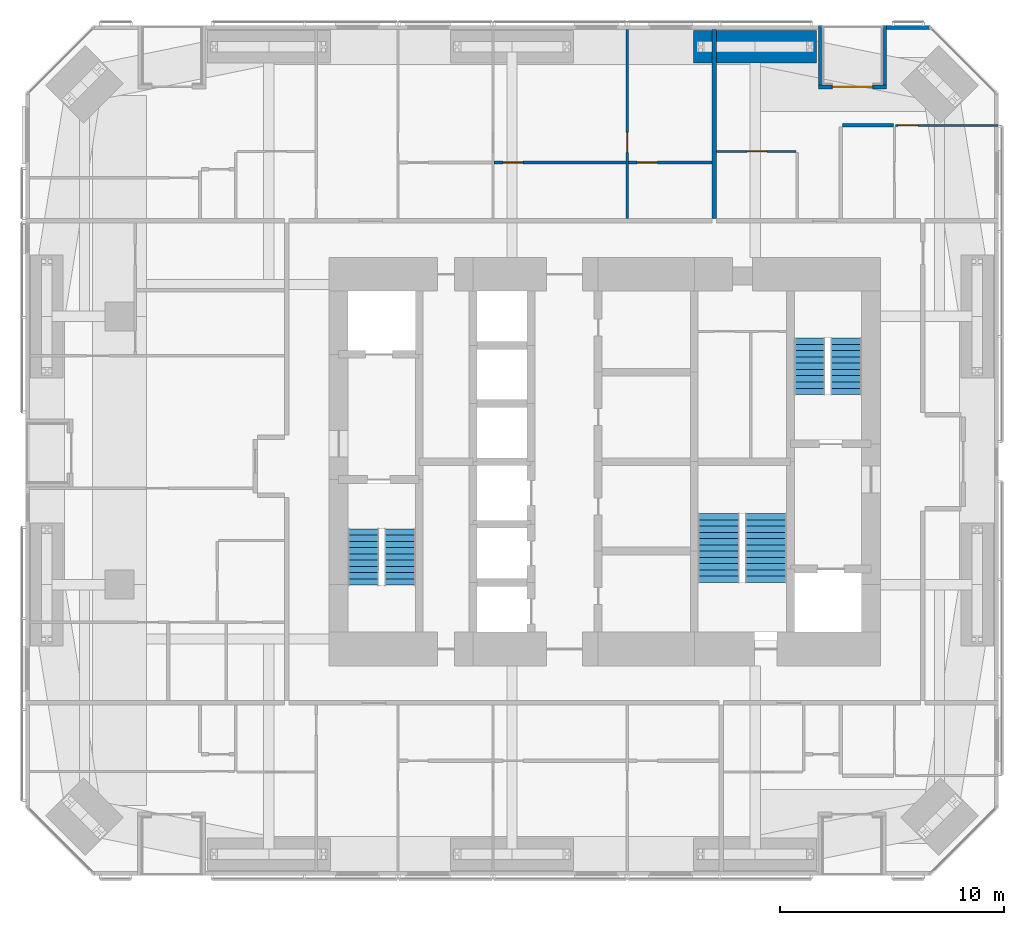
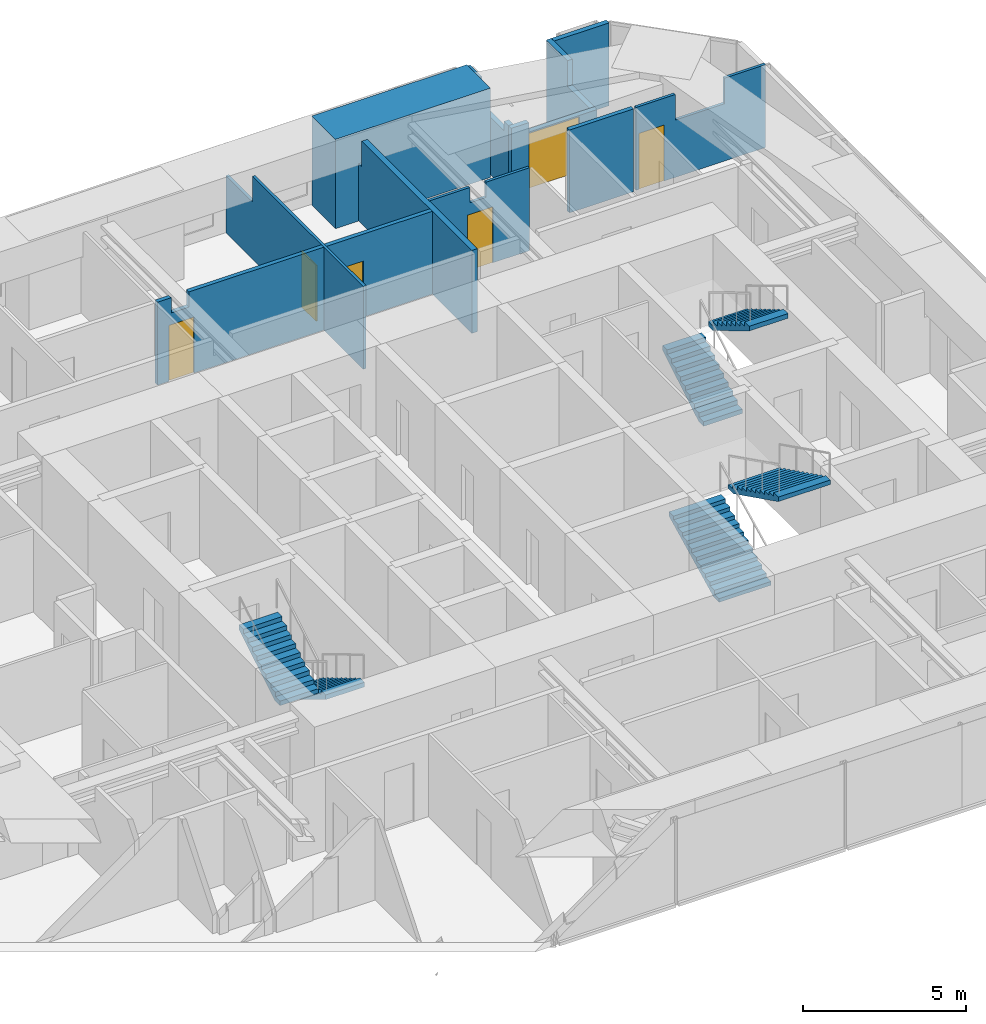
# One storey, part 22 of 23: 13 walls, 6 doors, 6 stair flights, 6 openings, 3 elements without a shape of their own.
"""IFC4 building model written with IfcOpenShell, lengths in metres."""

import ifcopenshell
import ifcopenshell.guid

model = None  # the IFC model being written
_history = None  # IfcOwnerHistory: only IFC2X3 demands one
_inside = {}  # id of a spatial element -> (the spatial element, [elements in it])
_under = {}  # id of a project, library or spatial element -> (it, [spatial elements below it])
_declared = {}  # id of a project -> (the project, [libraries it declares])
_typed = {}  # id of a type object -> (the type object, [elements of that type])
_made_of = {}  # id of a material, layer set ... -> (it, [elements and type objects made of it])


def new_model(schema):
    """Start an empty IFC model of exactly this schema.

    Asked for "IFC4X3", IfcOpenShell would pick the latest addendum, in which some entities
    have other attributes; the version numbers below select the first issue.
    IFC2X3 requires an IfcOwnerHistory on every rooted entity: one is made here for all.
    """
    global model, _history
    if schema == "IFC4X3":
        model = ifcopenshell.file(schema_version=(4, 3, 0, 0))
    else:
        model = ifcopenshell.file(schema=schema)
    _inside.clear()
    _under.clear()
    _declared.clear()
    _typed.clear()
    _made_of.clear()
    _history = None
    if model.schema == "IFC2X3":
        org = make("IfcOrganization", Name="unknown")
        user = make(
            "IfcPersonAndOrganization",
            ThePerson=make("IfcPerson", FamilyName="unknown"),
            TheOrganization=org,
        )
        app = make(
            "IfcApplication",
            ApplicationDeveloper=org,
            Version="unknown",
            ApplicationFullName="unknown",
            ApplicationIdentifier="unknown",
        )
        _history = make(
            "IfcOwnerHistory",
            OwningUser=user,
            OwningApplication=app,
            ChangeAction="ADDED",
            CreationDate=0,
        )
    return model


def make(cls, **values):
    """One entity of the class cls with the attributes given. An attribute that is None is left unset."""
    return model.create_entity(
        cls, **{name: value for name, value in values.items() if value is not None}
    )


def rooted(cls, **values):
    """An entity with a GlobalId (a new one), such as an element, a storey or a relation."""
    return make(cls, GlobalId=ifcopenshell.guid.new(), OwnerHistory=_history, **values)


def si_unit(unit_type, name, prefix=None):
    """IfcSIUnit, for example si_unit("LENGTHUNIT", "METRE", prefix="MILLI")."""
    return make("IfcSIUnit", UnitType=unit_type, Prefix=prefix, Name=name)


def assignment(units):
    """IfcUnitAssignment: the units of a project."""
    return None if units is None else make("IfcUnitAssignment", Units=units)


def point(xyz):
    """IfcCartesianPoint."""
    return None if xyz is None else make("IfcCartesianPoint", Coordinates=xyz)


def direction(xyz):
    """IfcDirection."""
    return None if xyz is None else make("IfcDirection", DirectionRatios=xyz)


def frame(location, z_axis=None, x_axis=None):
    """IfcAxis2Placement3D, a coordinate frame: its origin and axes. An axis left out is left unset."""
    return make(
        "IfcAxis2Placement3D",
        Location=point(location),
        Axis=direction(z_axis),
        RefDirection=direction(x_axis),
    )


def frame_2d(location, x_axis=None):
    """IfcAxis2Placement2D, a coordinate frame in the plane: its origin and x axis."""
    return make(
        "IfcAxis2Placement2D", Location=point(location), RefDirection=direction(x_axis)
    )


def origin():
    """The frame at (0, 0, 0) with its axes left unset."""
    return frame((0.0, 0.0, 0.0))


def place(relative_to, where):
    """IfcLocalPlacement: puts the frame where relative to a parent placement (None: the world)."""
    return make(
        "IfcLocalPlacement", PlacementRelTo=relative_to, RelativePlacement=where
    )


def context(
    kind, dimensions, precision=None, world=None, true_north=None, identifier=None
):
    """IfcGeometricRepresentationContext, for example the 3D "Model" context."""
    return make(
        "IfcGeometricRepresentationContext",
        ContextIdentifier=identifier,
        ContextType=kind,
        CoordinateSpaceDimension=dimensions,
        Precision=precision,
        WorldCoordinateSystem=world,
        TrueNorth=true_north,
    )


def subcontext(parent, identifier, kind, view, scale=None):
    """IfcGeometricRepresentationSubContext, for example "Body" below "Model"."""
    return make(
        "IfcGeometricRepresentationSubContext",
        ContextIdentifier=identifier,
        ContextType=kind,
        ParentContext=parent,
        TargetScale=scale,
        TargetView=view,
    )


def project(units=None, contexts=None):
    """IfcProject with its units and contexts."""
    return rooted(
        "IfcProject",
        Name="project",
        RepresentationContexts=contexts,
        UnitsInContext=assignment(units),
    )


def spatial(cls, under=None, at=None, **own):
    """A site, building, storey or space (cls), placed at a placement, below another one or the project."""
    s = rooted(cls, ObjectPlacement=at, **own)
    if under is not None:
        _under.setdefault(under.id(), (under, []))[1].append(s)
    return s


def polyline(points):
    """IfcPolyline through the points."""
    return make("IfcPolyline", Points=[point(p) for p in points])


def profile(cls, at=None, kind="AREA", **sizes):
    """A parametric profile (cls). Its sizes go by their IFC names, for example OverallWidth=200.0."""
    return make(cls, ProfileType=kind, Position=at, **sizes)


def rectangle(**sizes):
    """IfcRectangleProfileDef."""
    return profile("IfcRectangleProfileDef", **sizes)


def outline(outer, holes=None, kind="AREA"):
    """IfcArbitraryClosedProfileDef: a profile drawn as a closed curve; with holes, ...WithVoids."""
    if holes is None:
        return make("IfcArbitraryClosedProfileDef", ProfileType=kind, OuterCurve=outer)
    return make(
        "IfcArbitraryProfileDefWithVoids",
        ProfileType=kind,
        OuterCurve=outer,
        InnerCurves=holes,
    )


def extrude(swept, where, along, depth):
    """IfcExtrudedAreaSolid: the profile swept, set in the frame where, extruded along a direction by depth."""
    return make(
        "IfcExtrudedAreaSolid",
        SweptArea=swept,
        Position=where,
        ExtrudedDirection=direction(along),
        Depth=depth,
    )


def shape(context_of_items, identifier, shape_type, items):
    """IfcShapeRepresentation: the items that make up one representation, for example the "Body"."""
    return make(
        "IfcShapeRepresentation",
        ContextOfItems=context_of_items,
        RepresentationIdentifier=identifier,
        RepresentationType=shape_type,
        Items=items,
    )


def material(Name=None, Category=None):
    """IfcMaterial."""
    return make("IfcMaterial", Name=Name, Category=Category)


def layer(
    of_material, thickness, ventilated=None, Name=None, Category=None, Priority=None
):
    """IfcMaterialLayer: one layer of a wall or slab, of a material (None: an air gap)."""
    return make(
        "IfcMaterialLayer",
        Material=of_material,
        LayerThickness=thickness,
        IsVentilated=ventilated,
        Name=Name,
        Category=Category,
        Priority=Priority,
    )


def layer_set(layers, Name=None):
    """IfcMaterialLayerSet."""
    return make("IfcMaterialLayerSet", MaterialLayers=layers, LayerSetName=Name)


def constituent(of_material, Name=None, Category=None, fraction=None):
    """IfcMaterialConstituent: one of the materials an element consists of."""
    return make(
        "IfcMaterialConstituent",
        Name=Name,
        Material=of_material,
        Fraction=fraction,
        Category=Category,
    )


def constituent_set(constituents=None, Name=None):
    """IfcMaterialConstituentSet."""
    return make(
        "IfcMaterialConstituentSet", Name=Name, MaterialConstituents=constituents
    )


def made_of(thing, what):
    """Note that an element or type object is made of a material, layer set ...; save() writes the relation."""
    if what is not None:
        _made_of.setdefault(what.id(), (what, []))[1].append(thing)
    return thing


def type_object(cls, material=None, **own):
    """A type object (cls), such as IfcWallType, which elements share."""
    return made_of(rooted(cls, **own), material)


def element(
    cls,
    number,
    at=None,
    inside=None,
    cuts=None,
    type_object=None,
    material=None,
    context=None,
    identifier="Body",
    shape_type=None,
    held_by="IfcProductDefinitionShape",
    body=None,
    shapes=None,
    **own,
):
    """One element of the class cls, such as IfcWall. Its Tag is "e" and its number.

    at: its placement. inside: the storey or other place that contains it. cuts: it is an
    opening in that element (IfcRelVoidsElement). A single representation is given by context,
    identifier, shape_type and body (its items); several are given by shapes. held_by: the class
    of the entity that holds the representations. save() writes the other relations.
    """
    e = rooted(cls, Tag="e%d" % number, ObjectPlacement=at, **own)
    if body is not None:
        shapes = [shape(context, identifier, shape_type, body)]
    if shapes is not None:
        e.Representation = make(held_by, Representations=shapes)
    if inside is not None:
        _inside.setdefault(inside.id(), (inside, []))[1].append(e)
    if cuts is not None:
        rooted(
            "IfcRelVoidsElement", RelatingBuildingElement=cuts, RelatedOpeningElement=e
        )
    if type_object is not None:
        _typed.setdefault(type_object.id(), (type_object, []))[1].append(e)
    return made_of(e, material)


def fill(opening, filler):
    """IfcRelFillsElement: the door or window that sits in an opening."""
    return rooted(
        "IfcRelFillsElement",
        RelatingOpeningElement=opening,
        RelatedBuildingElement=filler,
    )


def aggregate(whole, parts):
    """IfcRelAggregates: a whole, such as a stair, and the parts it consists of."""
    return rooted("IfcRelAggregates", RelatingObject=whole, RelatedObjects=parts)


def save(model, path):
    """Write the relations noted so far, then the file.

    IfcRelAggregates (storeys below a building ...), IfcRelContainedInSpatialStructure (elements
    in a storey), IfcRelDefinesByType, IfcRelAssociatesMaterial and IfcRelDeclares: one each for
    every whole, place, type object, material and project.
    """
    for whole, parts in _under.values():
        aggregate(whole, parts)
    for where, things in _inside.values():
        rooted(
            "IfcRelContainedInSpatialStructure",
            RelatedElements=things,
            RelatingStructure=where,
        )
    for kind, things in _typed.values():
        rooted("IfcRelDefinesByType", RelatedObjects=things, RelatingType=kind)
    for what, things in _made_of.values():
        rooted("IfcRelAssociatesMaterial", RelatedObjects=things, RelatingMaterial=what)
    for by, libraries in _declared.values():
        rooted("IfcRelDeclares", RelatingContext=by, RelatedDefinitions=libraries)
    model.write(path)


model = new_model("IFC4")

# Units and contexts
model_context = context("Model", 3, precision=1e-05, world=origin(), true_north=direction((0.0, 1.0)))
body_context = subcontext(model_context, "Body", "Model", "MODEL_VIEW")
ifc_project = project(units=[si_unit("LENGTHUNIT", "METRE"), si_unit("AREAUNIT", "SQUARE_METRE"), si_unit("VOLUMEUNIT", "CUBIC_METRE"), si_unit("PLANEANGLEUNIT", "RADIAN"), si_unit("MASSUNIT", "GRAM", prefix="KILO")], contexts=[model_context])

# Site, building, storey
site_placement = place(None, origin())
site = spatial("IfcSite", under=ifc_project, at=site_placement, CompositionType="ELEMENT")
building_placement = place(site_placement, origin())
building = spatial("IfcBuilding", under=site, at=building_placement, Name="Jalousie Tower", CompositionType="ELEMENT")
storey_placement = place(building_placement, frame((0.0, 0.0, 118.25)))
storey = spatial("IfcBuildingStorey", under=building, at=storey_placement, Name="L32", CompositionType="ELEMENT", Elevation=118.25)

# Wall, opening, door
ifc_material_1 = material(Name="Concrete block ASTM C90", Category="concrete")
ifc_constituent_1 = constituent(ifc_material_1, Name="Body")
ifc_material_2 = material(Name="Render")
ifc_constituent_2 = constituent(ifc_material_2, Name="Finish")
ifc_constituent_set_1 = constituent_set(constituents=[ifc_constituent_1, ifc_constituent_2])
wall_type_1 = type_object("IfcWallType", Name="BATHROOM WALL 150", PredefinedType="PLUMBINGWALL", material=ifc_constituent_set_1)
wall_1_placement = place(storey_placement, frame((26.949951171875, 31.875, 0.0), z_axis=(0.0, 0.0, 1.0), x_axis=(1.0, 0.0, 0.0)))
wall_1 = element("IfcWall", 1, at=wall_1_placement, inside=storey, type_object=wall_type_1, Name="Bathroom Wall 150 L32", PredefinedType="PLUMBINGWALL", context=body_context, shape_type="SweptSolid", body=[
    extrude(outline(polyline([(0.0, 0.0), (5.900146484375, 0.0), (5.89990234375, 3.110107421875), (1.1123046875, 3.110107421875), (1.1123046875, 2.541015625), (0.487548828125, 2.541015625), (0.487548828125, 3.110107421875), (0.0, 3.110107421875), (0.0, 0.0)])), frame((0.0, 0.074951171875, 0.0), z_axis=(0.0, -1.0, 0.0), x_axis=(1.0, 0.0, 0.0)), (0.0, 0.0, 1.0), 0.14990234375),
])
opening_1_placement = place(wall_1_placement, frame((0.39990234375, 0.0, 0.0)))
opening_1 = element("IfcOpeningElement", 2, at=opening_1_placement, cuts=wall_1, Name="Opening D3", PredefinedType="OPENING", context=body_context, shape_type="SweptSolid", body=[
    extrude(rectangle(XDim=0.89990234375, YDim=2.10009765625, at=frame_2d((0.449951171875, 1.050048828125))), frame((0.0, 0.0849609375, 0.0), z_axis=(0.0, -1.0, 0.0), x_axis=(1.0, 0.0, 0.0)), (0.0, 0.0, 1.0), 0.169921875),
])
ifc_material_3 = material(Name="Timber door", Category="wood")
door_type_1 = type_object("IfcDoorType", Name="BATHROOM DOOR 900", OperationType="SINGLE_SWING_LEFT", PredefinedType="DOOR", material=ifc_material_3)
door_1_placement = place(opening_1_placement, frame((0.89990234375, 0.0, 0.0), z_axis=(0.0, 0.0, 1.0), x_axis=(-1.0, 0.0, 0.0)))
door_1 = element("IfcDoor", 3, at=door_1_placement, inside=storey, type_object=door_type_1, Name="Apartment 3203 bedroom 2 bathroom door", OperationType="SINGLE_SWING_RIGHT", OverallHeight=2.10009765625, OverallWidth=0.89990234375, PredefinedType="DOOR", context=body_context, shape_type="SweptSolid", body=[
    extrude(rectangle(XDim=0.89990234375, YDim=2.10009765625, at=frame_2d((0.449951171875, 1.050048828125))), frame((0.0, 0.02490234375, 0.0), z_axis=(0.0, -1.0, 0.0), x_axis=(1.0, 0.0, 0.0)), (0.0, 0.0, 1.0), 0.050048828125),
])
fill(opening_1, door_1)

wall_2_placement = place(storey_placement, frame((32.949951171875, 31.875, 0.0), z_axis=(0.0, 0.0, 1.0), x_axis=(1.0, 0.0, 0.0)))
wall_2 = element("IfcWall", 4, at=wall_2_placement, inside=storey, type_object=wall_type_1, Name="Bathroom Wall 150 L32", PredefinedType="PLUMBINGWALL", context=body_context, shape_type="SweptSolid", body=[
    extrude(rectangle(XDim=3.75, YDim=0.14990234375, at=frame_2d((1.875, 0.0))), origin(), (0.0, 0.0, 1.0), 3.110107421875),
])
opening_2_placement = place(wall_2_placement, frame((0.39990234375, 0.0, 0.0)))
opening_2 = element("IfcOpeningElement", 5, at=opening_2_placement, cuts=wall_2, Name="Opening D3", PredefinedType="OPENING", context=body_context, shape_type="SweptSolid", body=[
    extrude(rectangle(XDim=0.89990234375, YDim=2.10009765625, at=frame_2d((0.449951171875, 1.050048828125))), frame((0.0, 0.0849609375, 0.0), z_axis=(0.0, -1.0, 0.0), x_axis=(1.0, 0.0, 0.0)), (0.0, 0.0, 1.0), 0.169921875),
])
door_2_placement = place(opening_2_placement, frame((0.89990234375, 0.0, 0.0), z_axis=(0.0, 0.0, 1.0), x_axis=(-1.0, 0.0, 0.0)))
door_2 = element("IfcDoor", 6, at=door_2_placement, inside=storey, type_object=door_type_1, Name="Apartment 3203 bedroom 3 bathroom door", OperationType="SINGLE_SWING_RIGHT", OverallHeight=2.10009765625, OverallWidth=0.89990234375, PredefinedType="DOOR", context=body_context, shape_type="SweptSolid", body=[
    extrude(rectangle(XDim=0.89990234375, YDim=2.10009765625, at=frame_2d((0.449951171875, 1.050048828125))), frame((0.0, 0.02490234375, 0.0), z_axis=(0.0, -1.0, 0.0), x_axis=(1.0, 0.0, 0.0)), (0.0, 0.0, 1.0), 0.050048828125),
])
fill(opening_2, door_2)

# Walls
wall_3_placement = place(storey_placement, frame((42.52490234375, 33.5361328125, 0.0), z_axis=(0.0, 0.0, 1.0), x_axis=(1.0, 0.0, 0.0)))
element("IfcWall", 7, at=wall_3_placement, inside=storey, type_object=wall_type_1, Name="Bathroom Wall 150 L32", PredefinedType="PLUMBINGWALL", context=body_context, shape_type="SweptSolid", body=[
    extrude(rectangle(XDim=2.275146484375, YDim=0.14990234375, at=frame_2d((1.1376953125, 0.0))), origin(), (0.0, 0.0, 1.0), 3.110107421875),
])
ifc_material_4 = material(Name="Concrete f'c 40 MPa", Category="concrete")
ifc_constituent_3 = constituent(ifc_material_4, Name="Body")
ifc_material_5 = material(Name="Render, pastel sea green")
ifc_constituent_4 = constituent(ifc_material_5, Name="Finish")
ifc_constituent_set_2 = constituent_set(constituents=[ifc_constituent_3, ifc_constituent_4])
wall_type_2 = type_object("IfcWallType", Name="EXTERNAL WALL 175 SEA GREEN RENDER", PredefinedType="SOLIDWALL", material=ifc_constituent_set_2)
wall_4_placement = place(storey_placement, frame((46.44873046875, 37.91259765625, 0.0), z_axis=(0.0, 0.0, 1.0), x_axis=(-1.0, 0.0, 0.0)))
element("IfcWall", 8, at=wall_4_placement, inside=storey, type_object=wall_type_2, Name="External Wall 175 Sea Green Render L32", PredefinedType="SOLIDWALL", context=body_context, shape_type="SweptSolid", body=[
    extrude(rectangle(XDim=1.949951171875, YDim=0.175048828125, at=frame_2d((0.97509765625, 0.0))), origin(), (0.0, 0.0, 1.0), 3.110107421875),
])

# Wall, opening, door
wall_5_placement = place(storey_placement, frame((44.498779296875, 35.262451171875, 0.0), z_axis=(0.0, 0.0, 1.0), x_axis=(-1.0, 0.0, 0.0)))
wall_5 = element("IfcWall", 9, at=wall_5_placement, inside=storey, type_object=wall_type_2, Name="External Wall 175 Sea Green Render L32-A", PredefinedType="SOLIDWALL", context=body_context, shape_type="SweptSolid", body=[
    extrude(rectangle(XDim=2.425048828125, YDim=0.175048828125, at=frame_2d((1.21240234375, 0.0))), origin(), (0.0, 0.0, 1.0), 2.14990234375),
])
opening_3_placement = place(wall_5_placement, frame((0.625, 0.0, 0.0)))
opening_3 = element("IfcOpeningElement", 10, at=opening_3_placement, cuts=wall_5, Name="Opening D-BAL21", PredefinedType="OPENING", context=body_context, shape_type="SweptSolid", body=[
    extrude(rectangle(XDim=1.800048828125, YDim=2.10009765625, at=frame_2d((0.89990234375, 1.050048828125))), frame((0.0, 0.097412109375, 0.0), z_axis=(0.0, -1.0, 0.0), x_axis=(1.0, 0.0, 0.0)), (0.0, 0.0, 1.0), 0.195068359375),
])
ifc_material_6 = material(Name="Aluminium frame, impact-rated glazing", Category="aluminium")
door_type_2 = type_object("IfcDoorType", Name="BALCONY DOOR 1800x2100", OperationType="SLIDING_TO_LEFT", PredefinedType="DOOR", material=ifc_material_6)
door_3_placement = place(opening_3_placement, origin())
door_3 = element("IfcDoor", 11, at=door_3_placement, inside=storey, type_object=door_type_2, Name="Apartment 3204 living and dining room loggia door", OperationType="SLIDING_TO_LEFT", OverallHeight=2.10009765625, OverallWidth=1.800048828125, PredefinedType="DOOR", context=body_context, shape_type="SweptSolid", body=[
    extrude(rectangle(XDim=1.800048828125, YDim=2.10009765625, at=frame_2d((0.89990234375, 1.050048828125))), frame((0.0, 0.02490234375, 0.0), z_axis=(0.0, -1.0, 0.0), x_axis=(1.0, 0.0, 0.0)), (0.0, 0.0, 1.0), 0.050048828125),
])
fill(opening_3, door_3)

# Walls
wall_6_placement = place(storey_placement, frame((42.07373046875, 35.262451171875, 0.0), z_axis=(0.0, 0.0, 1.0), x_axis=(-1.0, 0.0, 0.0)))
element("IfcWall", 12, at=wall_6_placement, inside=storey, type_object=wall_type_2, Name="External Wall 175 Sea Green Render L32-B", PredefinedType="SOLIDWALL", context=body_context, shape_type="SweptSolid", body=[
    extrude(rectangle(XDim=0.625, YDim=0.175048828125, at=frame_2d((0.3125, 0.0))), origin(), (0.0, 0.0, 1.0), 2.510009765625),
])
wall_7_placement = place(storey_placement, frame((44.4111328125, 38.0, 0.0), z_axis=(0.0, 0.0, 1.0), x_axis=(0.0, -1.0, 0.0)))
element("IfcWall", 13, at=wall_7_placement, inside=storey, type_object=wall_type_2, Name="External Wall 175 Sea Green Render L32", PredefinedType="SOLIDWALL", context=body_context, shape_type="SweptSolid", body=[
    extrude(outline(polyline([(0.0, 0.0), (2.64990234375, 0.0), (2.64990234375, 2.14990234375), (1.2958984375, 2.14990234375), (1.2958984375, 3.110107421875), (0.0, 3.110107421875), (0.0, 0.0)])), frame((0.0, 0.08740234375, 0.0), z_axis=(0.0, -1.0, 0.0), x_axis=(1.0, 0.0, 0.0)), (0.0, 0.0, 1.0), 0.175048828125),
])
wall_8_placement = place(storey_placement, frame((41.5361328125, 38.0, 0.0), z_axis=(0.0, 0.0, 1.0), x_axis=(0.0, -1.0, 0.0)))
element("IfcWall", 14, at=wall_8_placement, inside=storey, type_object=wall_type_2, Name="External Wall 175 Sea Green Render L32", PredefinedType="SOLIDWALL", context=body_context, shape_type="SweptSolid", body=[
    extrude(outline(polyline([(0.0, 0.0), (2.64990234375, 0.0), (2.64990234375, 2.510009765625), (2.378173828125, 2.510009765625), (2.378173828125, 2.14990234375), (0.70947265625, 2.14990234375), (0.70947265625, 3.110107421875), (0.0, 3.110107421875), (0.0, 0.0)])), frame((0.0, 0.08740234375, 0.0), z_axis=(0.0, -1.0, 0.0), x_axis=(1.0, 0.0, 0.0)), (0.0, 0.0, 1.0), 0.175048828125),
])

# Wall, opening, door
ifc_material_7 = material(Name="Gypsum board", Category="gypsum")
ifc_constituent_5 = constituent(ifc_material_7, Name="Body")
ifc_material_8 = material(Name="Light-gauge steel studs ASTM A653 SS Grade 33", Category="steel")
ifc_constituent_6 = constituent(ifc_material_8, Name="Framing")
ifc_constituent_set_3 = constituent_set(constituents=[ifc_constituent_5, ifc_constituent_6])
wall_type_3 = type_object("IfcWallType", Name="PARTITION 100", PredefinedType="PARTITIONING", material=ifc_constituent_set_3)
wall_9_placement = place(storey_placement, frame((32.89990234375, 37.824951171875, 0.0), z_axis=(0.0, 0.0, 1.0), x_axis=(0.0, -1.0, 0.0)))
wall_9 = element("IfcWall", 15, at=wall_9_placement, inside=storey, type_object=wall_type_3, Name="Partition 100 L32", PredefinedType="PARTITIONING", context=body_context, shape_type="SweptSolid", body=[
    extrude(outline(polyline([(0.0, 0.0), (8.449951171875, 0.0), (8.449951171875, 3.110107421875), (1.635009765625, 3.110107421875), (1.635009765625, 2.14990234375), (0.0, 2.14990234375), (0.0, 3.110107421875), (0.0, 0.0)])), frame((0.0, 0.050048828125, 0.0), z_axis=(0.0, -1.0, 0.0), x_axis=(1.0, 0.0, 0.0)), (0.0, 0.0, 1.0), 0.10009765625),
])
opening_4_placement = place(wall_9_placement, frame((4.60009765625, 0.0, 0.0)))
opening_4 = element("IfcOpeningElement", 16, at=opening_4_placement, cuts=wall_9, Name="Opening D2", PredefinedType="OPENING", context=body_context, shape_type="SweptSolid", body=[
    extrude(rectangle(XDim=0.89990234375, YDim=2.10009765625, at=frame_2d((0.449951171875, 1.050048828125))), frame((0.0, 0.06005859375, 0.0), z_axis=(0.0, -1.0, 0.0), x_axis=(1.0, 0.0, 0.0)), (0.0, 0.0, 1.0), 0.1201171875),
])
ifc_material_9 = material(Name="Timber door", Category="wood")
door_type_3 = type_object("IfcDoorType", Name="BEDROOM DOOR 900", OperationType="SINGLE_SWING_LEFT", PredefinedType="DOOR", material=ifc_material_9)
door_4_placement = place(opening_4_placement, frame((0.89990234375, 0.0, 0.0), z_axis=(0.0, 0.0, 1.0), x_axis=(-1.0, 0.0, 0.0)))
door_4 = element("IfcDoor", 17, at=door_4_placement, inside=storey, type_object=door_type_3, Name="Apartment 3203 bedroom 3 door", OperationType="SINGLE_SWING_LEFT", OverallHeight=2.10009765625, OverallWidth=0.89990234375, PredefinedType="DOOR", context=body_context, shape_type="SweptSolid", body=[
    extrude(rectangle(XDim=0.89990234375, YDim=2.10009765625, at=frame_2d((0.449951171875, 1.050048828125))), frame((0.0, 0.02490234375, 0.0), z_axis=(0.0, -1.0, 0.0), x_axis=(1.0, 0.0, 0.0)), (0.0, 0.0, 1.0), 0.050048828125),
])
fill(opening_4, door_4)

wall_10_placement = place(storey_placement, frame((44.89990234375, 33.5361328125, 0.0), z_axis=(0.0, 0.0, 1.0), x_axis=(1.0, 0.0, 0.0)))
wall_10 = element("IfcWall", 18, at=wall_10_placement, inside=storey, type_object=wall_type_3, Name="Partition 100 L32", PredefinedType="PARTITIONING", context=body_context, shape_type="SweptSolid", body=[
    extrude(outline(polyline([(0.0, 0.0), (4.60009765625, 0.0), (4.60009765625, 3.110107421875), (3.136962890625, 3.110107421875), (3.136962890625, 2.14990234375), (1.39453125, 2.14990234375), (1.39453125, 3.110107421875), (0.0, 3.110107421875), (0.0, 0.0)])), frame((0.0, 0.050048828125, 0.0), z_axis=(0.0, -1.0, 0.0), x_axis=(1.0, 0.0, 0.0)), (0.0, 0.0, 1.0), 0.10009765625),
])
opening_5_placement = place(wall_10_placement, frame((0.10009765625, 0.0, 0.0)))
opening_5 = element("IfcOpeningElement", 19, at=opening_5_placement, cuts=wall_10, Name="Opening D2", PredefinedType="OPENING", context=body_context, shape_type="SweptSolid", body=[
    extrude(rectangle(XDim=0.89990234375, YDim=2.10009765625, at=frame_2d((0.449951171875, 1.050048828125))), frame((0.0, 0.06005859375, 0.0), z_axis=(0.0, -1.0, 0.0), x_axis=(1.0, 0.0, 0.0)), (0.0, 0.0, 1.0), 0.1201171875),
])
door_5_placement = place(opening_5_placement, frame((0.89990234375, 0.0, 0.0), z_axis=(0.0, 0.0, 1.0), x_axis=(-1.0, 0.0, 0.0)))
door_5 = element("IfcDoor", 20, at=door_5_placement, inside=storey, type_object=door_type_3, Name="Apartment 3204 bedroom 1 door", OperationType="SINGLE_SWING_RIGHT", OverallHeight=2.10009765625, OverallWidth=0.89990234375, PredefinedType="DOOR", context=body_context, shape_type="SweptSolid", body=[
    extrude(rectangle(XDim=0.89990234375, YDim=2.10009765625, at=frame_2d((0.449951171875, 1.050048828125))), frame((0.0, 0.02490234375, 0.0), z_axis=(0.0, -1.0, 0.0), x_axis=(1.0, 0.0, 0.0)), (0.0, 0.0, 1.0), 0.050048828125),
])
fill(opening_5, door_5)

wall_11_placement = place(storey_placement, frame((36.89990234375, 32.375, 0.0), z_axis=(0.0, 0.0, 1.0), x_axis=(1.0, 0.0, 0.0)))
wall_11 = element("IfcWall", 21, at=wall_11_placement, inside=storey, type_object=wall_type_3, Name="Partition 100 L32", PredefinedType="PARTITIONING", context=body_context, shape_type="SweptSolid", body=[
    extrude(outline(polyline([(0.0, 0.0), (3.550048828125, 0.0), (3.550048828125, 3.110107421875), (2.012451171875, 3.110107421875), (2.012451171875, 2.541015625), (1.4375, 2.541015625), (1.4375, 3.110107421875), (0.0, 3.110107421875), (0.0, 0.0)])), frame((0.0, 0.050048828125, 0.0), z_axis=(0.0, -1.0, 0.0), x_axis=(1.0, 0.0, 0.0)), (0.0, 0.0, 1.0), 0.10009765625),
])
opening_6_placement = place(wall_11_placement, frame((1.35009765625, 0.0, 0.0)))
opening_6 = element("IfcOpeningElement", 22, at=opening_6_placement, cuts=wall_11, Name="Opening D7", PredefinedType="OPENING", context=body_context, shape_type="SweptSolid", body=[
    extrude(rectangle(XDim=0.89990234375, YDim=2.10009765625, at=frame_2d((0.449951171875, 1.050048828125))), frame((0.0, 0.06005859375, 0.0), z_axis=(0.0, -1.0, 0.0), x_axis=(1.0, 0.0, 0.0)), (0.0, 0.0, 1.0), 0.1201171875),
])
ifc_material_10 = material(Name="Timber door", Category="wood")
door_type_4 = type_object("IfcDoorType", Name="INTERNAL DOOR 900", OperationType="SINGLE_SWING_LEFT", PredefinedType="DOOR", material=ifc_material_10)
door_6_placement = place(opening_6_placement, origin())
door_6 = element("IfcDoor", 23, at=door_6_placement, inside=storey, type_object=door_type_4, Name="Apartment 3204 kitchen door", OperationType="SINGLE_SWING_LEFT", OverallHeight=2.10009765625, OverallWidth=0.89990234375, PredefinedType="DOOR", context=body_context, shape_type="SweptSolid", body=[
    extrude(rectangle(XDim=0.89990234375, YDim=2.10009765625, at=frame_2d((0.449951171875, 1.050048828125))), frame((0.0, 0.02490234375, 0.0), z_axis=(0.0, -1.0, 0.0), x_axis=(1.0, 0.0, 0.0)), (0.0, 0.0, 1.0), 0.050048828125),
])
fill(opening_6, door_6)

# Walls
ifc_material_11 = material(Name="Concrete block ASTM C90", Category="concrete")
ifc_constituent_7 = constituent(ifc_material_11, Name="Body")
ifc_material_12 = material(Name="Render")
ifc_constituent_8 = constituent(ifc_material_12, Name="Finish")
ifc_constituent_set_4 = constituent_set(constituents=[ifc_constituent_7, ifc_constituent_8])
wall_type_4 = type_object("IfcWallType", Name="PARTY WALL 200", PredefinedType="PARTITIONING", material=ifc_constituent_set_4)
wall_12_placement = place(storey_placement, frame((36.800048828125, 37.824951171875, 0.0), z_axis=(0.0, 0.0, 1.0), x_axis=(0.0, -1.0, 0.0)))
element("IfcWall", 24, at=wall_12_placement, inside=storey, type_object=wall_type_4, Name="Party Wall 200 L32", PredefinedType="PARTITIONING", context=body_context, shape_type="SweptSolid", body=[
    extrude(outline(polyline([(0.52880859375, 2.14990234375), (0.0, 2.14990234375), (0.0, 0.0), (0.52880859375, 0.0), (0.52880859375, 0.25634765625), (1.021240234375, 0.25634765625), (1.021240234375, 0.0), (8.449951171875, 0.0), (8.449951171875, 3.110107421875), (1.68505859375, 3.110107421875), (1.68505859375, 2.14990234375), (1.021240234375, 2.14990234375), (1.021240234375, 1.8935546875), (0.52880859375, 1.8935546875), (0.52880859375, 2.14990234375)])), frame((0.0, 0.10009765625, 0.0), z_axis=(0.0, -1.0, 0.0), x_axis=(1.0, 0.0, 0.0)), (0.0, 0.0, 1.0), 0.199951171875),
])
ifc_material_13 = material(Name="Concrete f'c 120 MPa", Category="concrete")
ifc_layer = layer(ifc_material_13, 1.449951171875)
ifc_layer_set = layer_set([ifc_layer], Name="Concrete f'c 120 MPa")
wall_type_5 = type_object("IfcWallType", Name="RC WALL PIER 1450", PredefinedType="SHEAR", material=ifc_layer_set)
wall_13_placement = place(storey_placement, frame((35.875, 37.050048828125, 0.0), z_axis=(0.0, 0.0, 1.0), x_axis=(1.0, 0.0, 0.0)))
element("IfcWall", 25, at=wall_13_placement, inside=storey, type_object=wall_type_5, Name="Wall pier 09 L32", PredefinedType="SHEAR", context=body_context, shape_type="SweptSolid", body=[
    extrude(rectangle(XDim=5.5, YDim=1.449951171875, at=frame_2d((2.75, 0.0))), origin(), (0.0, 0.0, 1.0), 3.35009765625),
])

# Stair, stair flights
ifc_material_14 = material(Name="Concrete f'c 40 MPa", Category="concrete")
stair_type = type_object("IfcStairType", Name="EXIT STAIR", PredefinedType="HALF_TURN_STAIR", material=ifc_material_14)
stair_1_placement = place(storey_placement, origin())
stair_1 = element("IfcStair", 26, at=stair_1_placement, inside=storey, type_object=stair_type, Name="Exit stair A L32", PredefinedType="HALF_TURN_STAIR")
ifc_material_15 = material(Name="Concrete f'c 40 MPa", Category="concrete")
stair_flight_type = type_object("IfcStairFlightType", Name="STAIR FLIGHT", PredefinedType="STRAIGHT", material=ifc_material_15)
stair_flight_1_placement = place(storey_placement, frame((22.737548828125, 15.49755859375, 0.0), z_axis=(0.0, 0.0, 1.0), x_axis=(0.0, -1.0, 0.0)))
stair_flight_1 = element("IfcStairFlight", 27, at=stair_flight_1_placement, type_object=stair_flight_type, Name="ST-A flight 1", NumberOfRisers=10, NumberOfTreads=9, PredefinedType="STRAIGHT", RiserHeight=0.1675, TreadLength=0.28, context=body_context, shape_type="SweptSolid", body=[
    extrude(outline(polyline([(0.0, 0.0), (0.0, 0.16748046875), (0.280029296875, 0.16748046875), (0.280029296875, 0.3349609375), (0.56005859375, 0.3349609375), (0.56005859375, 0.50244140625), (0.840087890625, 0.50244140625), (0.840087890625, 0.669921875), (1.1201171875, 0.669921875), (1.1201171875, 0.83740234375), (1.39990234375, 0.83740234375), (1.39990234375, 1.0048828125), (1.679931640625, 1.0048828125), (1.679931640625, 1.172607421875), (1.9599609375, 1.172607421875), (1.9599609375, 1.340087890625), (2.239990234375, 1.340087890625), (2.239990234375, 1.507568359375), (2.52001953125, 1.507568359375), (2.52001953125, 1.675048828125), (2.52001953125, 1.332763671875), (0.2919921875, 0.0), (0.0, 0.0)])), frame((0.0, 0.6875, 0.0), z_axis=(0.0, -1.0, 0.0), x_axis=(1.0, 0.0, 0.0)), (0.0, 0.0, 1.0), 1.375),
])
stair_flight_2_placement = place(storey_placement, frame((21.112548828125, 12.9775390625, 1.675048828125), z_axis=(0.0, 0.0, 1.0), x_axis=(0.0, 1.0, 0.0)))
stair_flight_2 = element("IfcStairFlight", 28, at=stair_flight_2_placement, type_object=stair_flight_type, Name="ST-A flight 2", NumberOfRisers=10, NumberOfTreads=9, PredefinedType="STRAIGHT", RiserHeight=0.1675, TreadLength=0.28, context=body_context, shape_type="SweptSolid", body=[
    extrude(outline(polyline([(0.0, 0.0), (0.0, 0.16748046875), (0.280029296875, 0.16748046875), (0.280029296875, 0.3349609375), (0.56005859375, 0.3349609375), (0.56005859375, 0.50244140625), (0.840087890625, 0.50244140625), (0.840087890625, 0.669921875), (1.1201171875, 0.669921875), (1.1201171875, 0.83740234375), (1.39990234375, 0.83740234375), (1.39990234375, 1.0048828125), (1.679931640625, 1.0048828125), (1.679931640625, 1.172607421875), (1.9599609375, 1.172607421875), (1.9599609375, 1.340087890625), (2.239990234375, 1.340087890625), (2.239990234375, 1.507568359375), (2.52001953125, 1.507568359375), (2.52001953125, 1.675048828125), (2.52001953125, 1.332763671875), (0.2919921875, 0.0), (0.0, 0.0)])), frame((0.0, 0.6875, 0.0), z_axis=(0.0, -1.0, 0.0), x_axis=(1.0, 0.0, 0.0)), (0.0, 0.0, 1.0), 1.375),
])
aggregate(stair_1, [stair_flight_1, stair_flight_2])

stair_2_placement = place(storey_placement, origin())
stair_2 = element("IfcStair", 29, at=stair_2_placement, inside=storey, type_object=stair_type, Name="Exit stair B L32", PredefinedType="HALF_TURN_STAIR")
stair_flight_3_placement = place(storey_placement, frame((41.0625, 21.50244140625, 0.0), z_axis=(0.0, 0.0, 1.0), x_axis=(0.0, 1.0, 0.0)))
stair_flight_3 = element("IfcStairFlight", 30, at=stair_flight_3_placement, type_object=stair_flight_type, Name="ST-B flight 1", NumberOfRisers=10, NumberOfTreads=9, PredefinedType="STRAIGHT", RiserHeight=0.1675, TreadLength=0.28, context=body_context, shape_type="SweptSolid", body=[
    extrude(outline(polyline([(0.0, 0.0), (0.0, 0.16748046875), (0.280029296875, 0.16748046875), (0.280029296875, 0.3349609375), (0.56005859375, 0.3349609375), (0.56005859375, 0.50244140625), (0.840087890625, 0.50244140625), (0.840087890625, 0.669921875), (1.1201171875, 0.669921875), (1.1201171875, 0.83740234375), (1.39990234375, 0.83740234375), (1.39990234375, 1.0048828125), (1.679931640625, 1.0048828125), (1.679931640625, 1.172607421875), (1.9599609375, 1.172607421875), (1.9599609375, 1.340087890625), (2.239990234375, 1.340087890625), (2.239990234375, 1.507568359375), (2.52001953125, 1.507568359375), (2.52001953125, 1.675048828125), (2.52001953125, 1.332763671875), (0.2919921875, 0.0), (0.0, 0.0)])), frame((0.0, 0.6875, 0.0), z_axis=(0.0, -1.0, 0.0), x_axis=(1.0, 0.0, 0.0)), (0.0, 0.0, 1.0), 1.375),
])
stair_flight_4_placement = place(storey_placement, frame((42.6875, 24.0224609375, 1.675048828125), z_axis=(0.0, 0.0, 1.0), x_axis=(0.0, -1.0, 0.0)))
stair_flight_4 = element("IfcStairFlight", 31, at=stair_flight_4_placement, type_object=stair_flight_type, Name="ST-B flight 2", NumberOfRisers=10, NumberOfTreads=9, PredefinedType="STRAIGHT", RiserHeight=0.1675, TreadLength=0.28, context=body_context, shape_type="SweptSolid", body=[
    extrude(outline(polyline([(0.0, 0.0), (0.0, 0.16748046875), (0.280029296875, 0.16748046875), (0.280029296875, 0.3349609375), (0.56005859375, 0.3349609375), (0.56005859375, 0.50244140625), (0.840087890625, 0.50244140625), (0.840087890625, 0.669921875), (1.1201171875, 0.669921875), (1.1201171875, 0.83740234375), (1.39990234375, 0.83740234375), (1.39990234375, 1.0048828125), (1.679931640625, 1.0048828125), (1.679931640625, 1.172607421875), (1.9599609375, 1.172607421875), (1.9599609375, 1.340087890625), (2.239990234375, 1.340087890625), (2.239990234375, 1.507568359375), (2.52001953125, 1.507568359375), (2.52001953125, 1.675048828125), (2.52001953125, 1.332763671875), (0.2919921875, 0.0), (0.0, 0.0)])), frame((0.0, 0.6875, 0.0), z_axis=(0.0, -1.0, 0.0), x_axis=(1.0, 0.0, 0.0)), (0.0, 0.0, 1.0), 1.375),
])
aggregate(stair_2, [stair_flight_3, stair_flight_4])

stair_3_placement = place(storey_placement, origin())
stair_3 = element("IfcStair", 32, at=stair_3_placement, inside=storey, type_object=stair_type, Name="Exit stair C L32", PredefinedType="HALF_TURN_STAIR")
stair_flight_5_placement = place(storey_placement, frame((37.0, 13.097412109375, 0.0), z_axis=(0.0, 0.0, 1.0), x_axis=(0.0, 1.0, 0.0)))
stair_flight_5 = element("IfcStairFlight", 33, at=stair_flight_5_placement, type_object=stair_flight_type, Name="ST-C flight 1", NumberOfRisers=12, NumberOfTreads=11, PredefinedType="STRAIGHT", RiserHeight=0.139583333, TreadLength=0.28, context=body_context, shape_type="SweptSolid", body=[
    extrude(outline(polyline([(0.0, 0.0), (0.0, 0.1396484375), (0.280029296875, 0.1396484375), (0.280029296875, 0.279052734375), (0.56005859375, 0.279052734375), (0.56005859375, 0.418701171875), (0.840087890625, 0.418701171875), (0.840087890625, 0.558349609375), (1.1201171875, 0.558349609375), (1.1201171875, 0.697998046875), (1.39990234375, 0.697998046875), (1.39990234375, 0.83740234375), (1.679931640625, 0.83740234375), (1.679931640625, 0.97705078125), (1.9599609375, 0.97705078125), (1.9599609375, 1.11669921875), (2.239990234375, 1.11669921875), (2.239990234375, 1.25634765625), (2.52001953125, 1.25634765625), (2.52001953125, 1.395751953125), (2.800048828125, 1.395751953125), (2.800048828125, 1.535400390625), (3.080078125, 1.535400390625), (3.080078125, 1.675048828125), (3.080078125, 1.367919921875), (0.3359375, 0.0), (0.0, 0.0)])), frame((0.0, 0.925048828125, 0.0), z_axis=(0.0, -1.0, 0.0), x_axis=(1.0, 0.0, 0.0)), (0.0, 0.0, 1.0), 1.85009765625),
])
stair_flight_6_placement = place(storey_placement, frame((39.10009765625, 16.177490234375, 1.675048828125), z_axis=(0.0, 0.0, 1.0), x_axis=(0.0, -1.0, 0.0)))
stair_flight_6 = element("IfcStairFlight", 34, at=stair_flight_6_placement, type_object=stair_flight_type, Name="ST-C flight 2", NumberOfRisers=12, NumberOfTreads=11, PredefinedType="STRAIGHT", RiserHeight=0.139583333, TreadLength=0.28, context=body_context, shape_type="SweptSolid", body=[
    extrude(outline(polyline([(0.0, 0.0), (0.0, 0.1396484375), (0.280029296875, 0.1396484375), (0.280029296875, 0.279052734375), (0.56005859375, 0.279052734375), (0.56005859375, 0.418701171875), (0.840087890625, 0.418701171875), (0.840087890625, 0.558349609375), (1.1201171875, 0.558349609375), (1.1201171875, 0.697998046875), (1.39990234375, 0.697998046875), (1.39990234375, 0.83740234375), (1.679931640625, 0.83740234375), (1.679931640625, 0.97705078125), (1.9599609375, 0.97705078125), (1.9599609375, 1.11669921875), (2.239990234375, 1.11669921875), (2.239990234375, 1.25634765625), (2.52001953125, 1.25634765625), (2.52001953125, 1.395751953125), (2.800048828125, 1.395751953125), (2.800048828125, 1.535400390625), (3.080078125, 1.535400390625), (3.080078125, 1.675048828125), (3.080078125, 1.367919921875), (0.3359375, 0.0), (0.0, 0.0)])), frame((0.0, 0.925048828125, 0.0), z_axis=(0.0, -1.0, 0.0), x_axis=(1.0, 0.0, 0.0)), (0.0, 0.0, 1.0), 1.85009765625),
])
aggregate(stair_3, [stair_flight_5, stair_flight_6])

save(model, "model.ifc")
